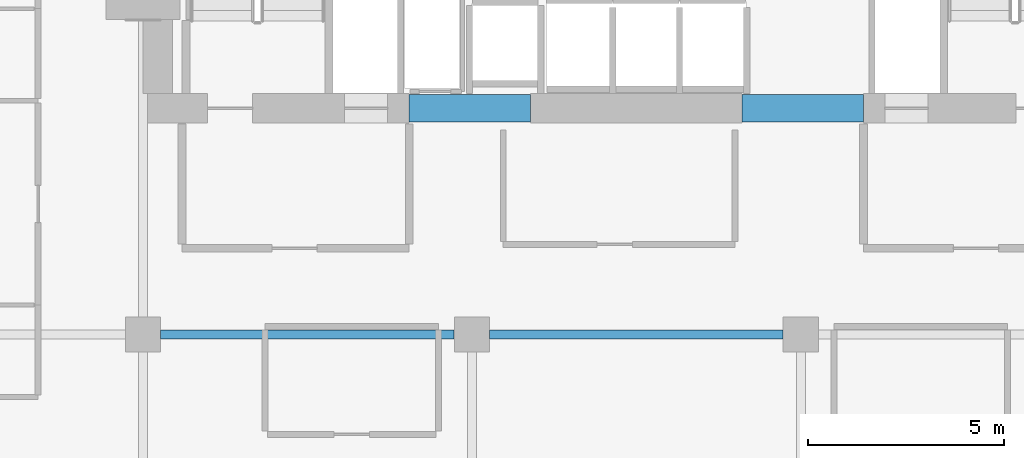
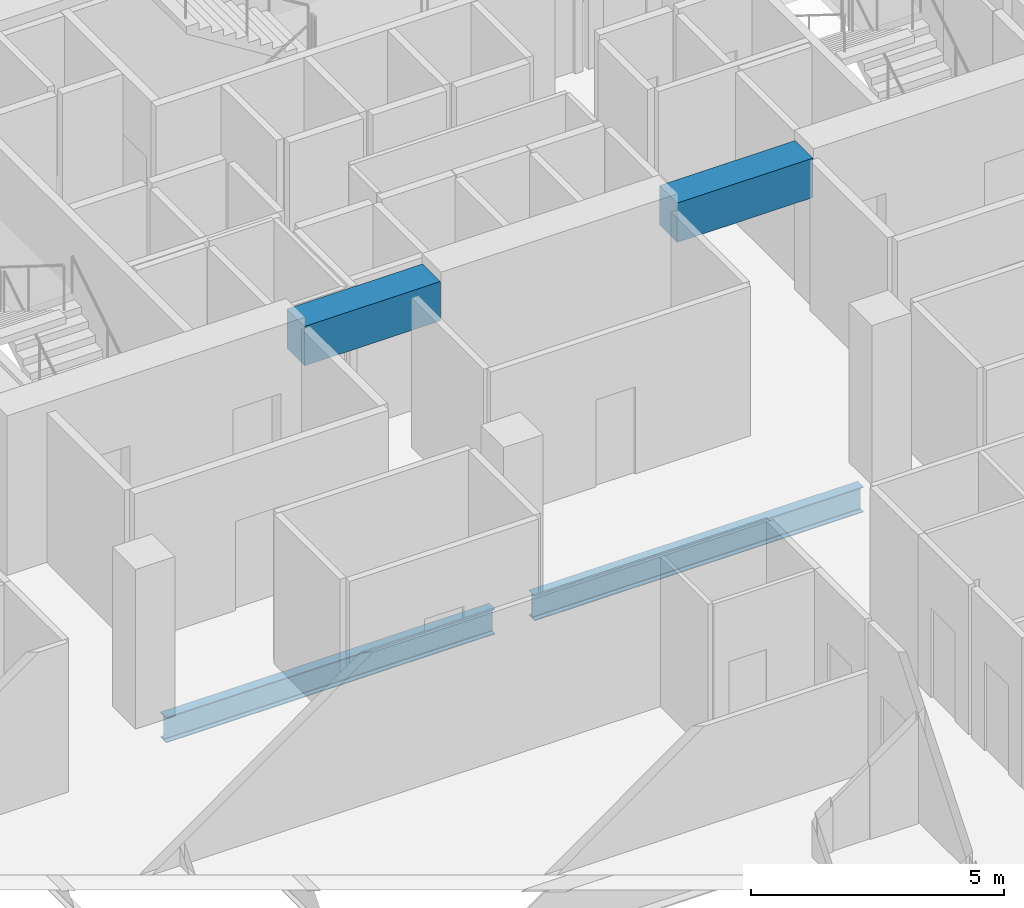
# One storey, part 21 of 34: 4 beams.
"""IFC4 building model written with IfcOpenShell, lengths in metres."""

from ifc_helpers import new_model, si_unit, direction, frame, origin, origin_2d, place, context, subcontext, project, spatial, rectangle, i_section, extrude, material, material_profile, profile_set, type_object, element, save


model = new_model("IFC4")

# Units and contexts
model_context = context("Model", 3, precision=1e-05, world=origin(), true_north=direction((0.0, 1.0)))
body_context = subcontext(model_context, "Body", "Model", "MODEL_VIEW")
ifc_project = project(units=[si_unit("LENGTHUNIT", "METRE"), si_unit("AREAUNIT", "SQUARE_METRE"), si_unit("VOLUMEUNIT", "CUBIC_METRE"), si_unit("PLANEANGLEUNIT", "RADIAN"), si_unit("MASSUNIT", "GRAM", prefix="KILO")], contexts=[model_context])

# Site, building, storey
site_placement = place(None, origin())
site = spatial("IfcSite", under=ifc_project, at=site_placement, CompositionType="ELEMENT")
building_placement = place(site_placement, origin())
building = spatial("IfcBuilding", under=site, at=building_placement, Name="Maruvema Waterfront Hotel and Observation Tower", CompositionType="ELEMENT")
storey_placement = place(building_placement, frame((0.0, 0.0, 127.39990234375)))
storey = spatial("IfcBuildingStorey", under=building, at=storey_placement, Name="L30", CompositionType="ELEMENT", Elevation=127.39990234375)

# Beams
ifc_material_1 = material(Name="Concrete C60/75", Category="concrete")
ifc_material_profile_1 = material_profile(ifc_material_1, rectangle(XDim=0.699951171875, YDim=0.949951171875, at=origin_2d()), Name="CB700x950")
ifc_profile_set_1 = profile_set([ifc_material_profile_1], Name="Concrete C60/75")
beam_type_1 = type_object("IfcBeamType", Name="Core Coupling Lintel Beam CB700x950", PredefinedType="LINTEL", material=ifc_profile_set_1)
for number, where, z_axis, x_axis, name in (
    (1, (32.0, 41.77490234375, 3.135009765625), (1.0, 0.0, 0.0), (0.0, 1.0, 0.0), "L30 Core Coupling Lintel Beam West"),
    (2, (40.5, 41.77490234375, 3.135009765625), (1.0, 0.0, 0.0), (0.0, 1.0, 0.0), "L30 Core Coupling Lintel Beam East"),
):
    element("IfcBeam", number, at=place(storey_placement, frame(where, z_axis=z_axis, x_axis=x_axis)), inside=storey, type_object=beam_type_1, Name=name, PredefinedType="LINTEL", context=body_context, shape_type="SweptSolid", body=[
        extrude(rectangle(XDim=0.699951171875, YDim=0.949951171875, at=origin_2d()), origin(), (0.0, 0.0, 1.0), 3.10009765625),
    ])
ifc_material_2 = material(Name="Steel ASTM A572 Grade 50", Category="steel")
ifc_material_profile_2 = material_profile(ifc_material_2, i_section(OverallWidth=0.22900390625, OverallDepth=0.612060546875, WebThickness=0.011962890625, FlangeThickness=0.01953125, FilletRadius=0.01806640625, at=origin_2d()), Name="W610x125.0")
ifc_profile_set_2 = profile_set([ifc_material_profile_2], Name="Steel ASTM A572 Grade 50")
beam_type_2 = type_object("IfcBeamType", Name="Primary Floor Girder W610x125.0", PredefinedType="BEAM", material=ifc_profile_set_2)
for number, where, z_axis, x_axis, name in (
    (3, (25.64990234375, 36.0, -0.5458984375), (1.0, 0.0, 0.0), (0.0, 1.0, 0.0), "L30 Floor Girder EW-25"),
    (4, (34.050048828125, 36.0, -0.5458984375), (1.0, 0.0, 0.0), (0.0, 1.0, 0.0), "L30 Floor Girder EW-26"),
):
    element("IfcBeam", number, at=place(storey_placement, frame(where, z_axis=z_axis, x_axis=x_axis)), inside=storey, type_object=beam_type_2, Name=name, PredefinedType="BEAM", context=body_context, shape_type="SweptSolid", body=[
        extrude(i_section(OverallWidth=0.22900390625, OverallDepth=0.612060546875, WebThickness=0.011962890625, FlangeThickness=0.01953125, FilletRadius=0.01806640625, at=origin_2d()), origin(), (0.0, 0.0, 1.0), 7.5),
    ])

save(model, "model.ifc")
